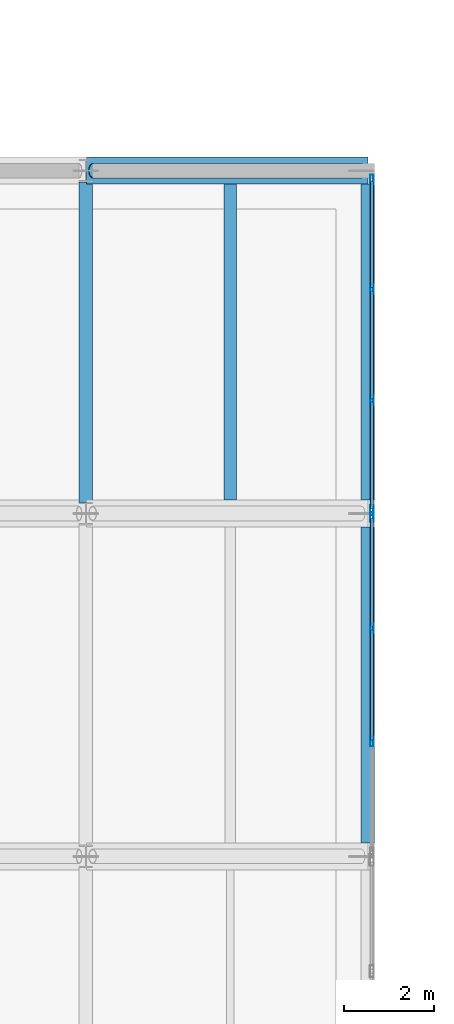
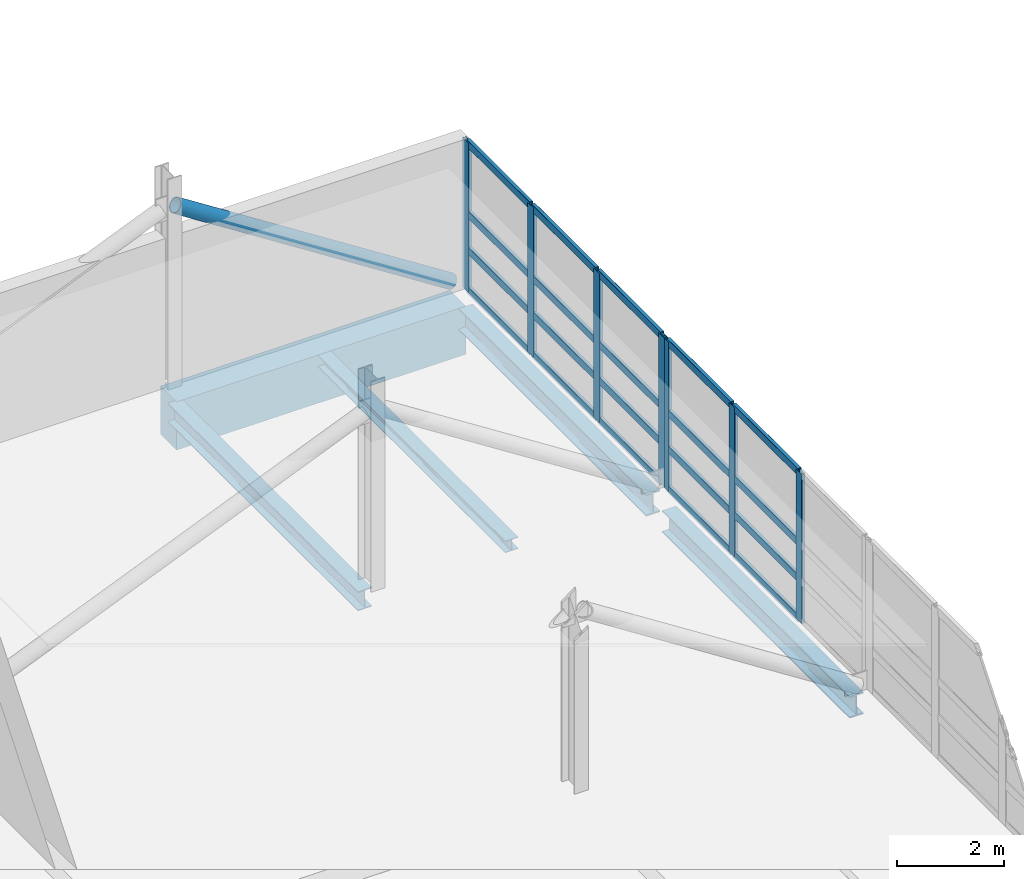
# One storey, part 24 of 141: 28 members, 5 beams, 2 elements without a shape of their own.
"""IFC4 building model written with IfcOpenShell, lengths in metres."""

import ifcopenshell
import ifcopenshell.guid

model = None  # the IFC model being written
_history = None  # IfcOwnerHistory: only IFC2X3 demands one
_inside = {}  # id of a spatial element -> (the spatial element, [elements in it])
_under = {}  # id of a project, library or spatial element -> (it, [spatial elements below it])
_declared = {}  # id of a project -> (the project, [libraries it declares])
_typed = {}  # id of a type object -> (the type object, [elements of that type])
_made_of = {}  # id of a material, layer set ... -> (it, [elements and type objects made of it])


def new_model(schema):
    """Start an empty IFC model of exactly this schema.

    Asked for "IFC4X3", IfcOpenShell would pick the latest addendum, in which some entities
    have other attributes; the version numbers below select the first issue.
    IFC2X3 requires an IfcOwnerHistory on every rooted entity: one is made here for all.
    """
    global model, _history
    if schema == "IFC4X3":
        model = ifcopenshell.file(schema_version=(4, 3, 0, 0))
    else:
        model = ifcopenshell.file(schema=schema)
    _inside.clear()
    _under.clear()
    _declared.clear()
    _typed.clear()
    _made_of.clear()
    _history = None
    if model.schema == "IFC2X3":
        org = make("IfcOrganization", Name="unknown")
        user = make(
            "IfcPersonAndOrganization",
            ThePerson=make("IfcPerson", FamilyName="unknown"),
            TheOrganization=org,
        )
        app = make(
            "IfcApplication",
            ApplicationDeveloper=org,
            Version="unknown",
            ApplicationFullName="unknown",
            ApplicationIdentifier="unknown",
        )
        _history = make(
            "IfcOwnerHistory",
            OwningUser=user,
            OwningApplication=app,
            ChangeAction="ADDED",
            CreationDate=0,
        )
    return model


def make(cls, **values):
    """One entity of the class cls with the attributes given. An attribute that is None is left unset."""
    return model.create_entity(
        cls, **{name: value for name, value in values.items() if value is not None}
    )


def rooted(cls, **values):
    """An entity with a GlobalId (a new one), such as an element, a storey or a relation."""
    return make(cls, GlobalId=ifcopenshell.guid.new(), OwnerHistory=_history, **values)


def si_unit(unit_type, name, prefix=None):
    """IfcSIUnit, for example si_unit("LENGTHUNIT", "METRE", prefix="MILLI")."""
    return make("IfcSIUnit", UnitType=unit_type, Prefix=prefix, Name=name)


def assignment(units):
    """IfcUnitAssignment: the units of a project."""
    return None if units is None else make("IfcUnitAssignment", Units=units)


def point(xyz):
    """IfcCartesianPoint."""
    return None if xyz is None else make("IfcCartesianPoint", Coordinates=xyz)


def direction(xyz):
    """IfcDirection."""
    return None if xyz is None else make("IfcDirection", DirectionRatios=xyz)


def frame(location, z_axis=None, x_axis=None):
    """IfcAxis2Placement3D, a coordinate frame: its origin and axes. An axis left out is left unset."""
    return make(
        "IfcAxis2Placement3D",
        Location=point(location),
        Axis=direction(z_axis),
        RefDirection=direction(x_axis),
    )


def frame_2d(location, x_axis=None):
    """IfcAxis2Placement2D, a coordinate frame in the plane: its origin and x axis."""
    return make(
        "IfcAxis2Placement2D", Location=point(location), RefDirection=direction(x_axis)
    )


def origin():
    """The frame at (0, 0, 0) with its axes left unset."""
    return frame((0.0, 0.0, 0.0))


def origin_2d():
    """The frame at (0, 0) in the plane with its x axis left unset."""
    return frame_2d((0.0, 0.0))


def place(relative_to, where):
    """IfcLocalPlacement: puts the frame where relative to a parent placement (None: the world)."""
    return make(
        "IfcLocalPlacement", PlacementRelTo=relative_to, RelativePlacement=where
    )


def context(
    kind, dimensions, precision=None, world=None, true_north=None, identifier=None
):
    """IfcGeometricRepresentationContext, for example the 3D "Model" context."""
    return make(
        "IfcGeometricRepresentationContext",
        ContextIdentifier=identifier,
        ContextType=kind,
        CoordinateSpaceDimension=dimensions,
        Precision=precision,
        WorldCoordinateSystem=world,
        TrueNorth=true_north,
    )


def subcontext(parent, identifier, kind, view, scale=None):
    """IfcGeometricRepresentationSubContext, for example "Body" below "Model"."""
    return make(
        "IfcGeometricRepresentationSubContext",
        ContextIdentifier=identifier,
        ContextType=kind,
        ParentContext=parent,
        TargetScale=scale,
        TargetView=view,
    )


def project(units=None, contexts=None):
    """IfcProject with its units and contexts."""
    return rooted(
        "IfcProject",
        Name="project",
        RepresentationContexts=contexts,
        UnitsInContext=assignment(units),
    )


def spatial(cls, under=None, at=None, **own):
    """A site, building, storey or space (cls), placed at a placement, below another one or the project."""
    s = rooted(cls, ObjectPlacement=at, **own)
    if under is not None:
        _under.setdefault(under.id(), (under, []))[1].append(s)
    return s


def profile(cls, at=None, kind="AREA", **sizes):
    """A parametric profile (cls). Its sizes go by their IFC names, for example OverallWidth=200.0."""
    return make(cls, ProfileType=kind, Position=at, **sizes)


def rectangle(**sizes):
    """IfcRectangleProfileDef."""
    return profile("IfcRectangleProfileDef", **sizes)


def hollow_rectangle(**sizes):
    """IfcRectangleHollowProfileDef."""
    return profile("IfcRectangleHollowProfileDef", **sizes)


def hollow_circle(**sizes):
    """IfcCircleHollowProfileDef."""
    return profile("IfcCircleHollowProfileDef", **sizes)


def i_section(**sizes):
    """IfcIShapeProfileDef."""
    return profile("IfcIShapeProfileDef", **sizes)


def extrude(swept, where, along, depth):
    """IfcExtrudedAreaSolid: the profile swept, set in the frame where, extruded along a direction by depth."""
    return make(
        "IfcExtrudedAreaSolid",
        SweptArea=swept,
        Position=where,
        ExtrudedDirection=direction(along),
        Depth=depth,
    )


def shape(context_of_items, identifier, shape_type, items):
    """IfcShapeRepresentation: the items that make up one representation, for example the "Body"."""
    return make(
        "IfcShapeRepresentation",
        ContextOfItems=context_of_items,
        RepresentationIdentifier=identifier,
        RepresentationType=shape_type,
        Items=items,
    )


def material(Name=None, Category=None):
    """IfcMaterial."""
    return make("IfcMaterial", Name=Name, Category=Category)


def material_profile(
    of_material, cross_section, Name=None, Category=None, Priority=None
):
    """IfcMaterialProfile: a cross section and its material."""
    return make(
        "IfcMaterialProfile",
        Name=Name,
        Material=of_material,
        Profile=cross_section,
        Priority=Priority,
        Category=Category,
    )


def profile_set(profiles, Name=None, composite=None):
    """IfcMaterialProfileSet."""
    return make(
        "IfcMaterialProfileSet",
        Name=Name,
        MaterialProfiles=profiles,
        CompositeProfile=composite,
    )


def made_of(thing, what):
    """Note that an element or type object is made of a material, layer set ...; save() writes the relation."""
    if what is not None:
        _made_of.setdefault(what.id(), (what, []))[1].append(thing)
    return thing


def type_object(cls, material=None, **own):
    """A type object (cls), such as IfcWallType, which elements share."""
    return made_of(rooted(cls, **own), material)


def element(
    cls,
    number,
    at=None,
    inside=None,
    cuts=None,
    type_object=None,
    material=None,
    context=None,
    identifier="Body",
    shape_type=None,
    held_by="IfcProductDefinitionShape",
    body=None,
    shapes=None,
    **own,
):
    """One element of the class cls, such as IfcWall. Its Tag is "e" and its number.

    at: its placement. inside: the storey or other place that contains it. cuts: it is an
    opening in that element (IfcRelVoidsElement). A single representation is given by context,
    identifier, shape_type and body (its items); several are given by shapes. held_by: the class
    of the entity that holds the representations. save() writes the other relations.
    """
    e = rooted(cls, Tag="e%d" % number, ObjectPlacement=at, **own)
    if body is not None:
        shapes = [shape(context, identifier, shape_type, body)]
    if shapes is not None:
        e.Representation = make(held_by, Representations=shapes)
    if inside is not None:
        _inside.setdefault(inside.id(), (inside, []))[1].append(e)
    if cuts is not None:
        rooted(
            "IfcRelVoidsElement", RelatingBuildingElement=cuts, RelatedOpeningElement=e
        )
    if type_object is not None:
        _typed.setdefault(type_object.id(), (type_object, []))[1].append(e)
    return made_of(e, material)


def aggregate(whole, parts):
    """IfcRelAggregates: a whole, such as a stair, and the parts it consists of."""
    return rooted("IfcRelAggregates", RelatingObject=whole, RelatedObjects=parts)


def save(model, path):
    """Write the relations noted so far, then the file.

    IfcRelAggregates (storeys below a building ...), IfcRelContainedInSpatialStructure (elements
    in a storey), IfcRelDefinesByType, IfcRelAssociatesMaterial and IfcRelDeclares: one each for
    every whole, place, type object, material and project.
    """
    for whole, parts in _under.values():
        aggregate(whole, parts)
    for where, things in _inside.values():
        rooted(
            "IfcRelContainedInSpatialStructure",
            RelatedElements=things,
            RelatingStructure=where,
        )
    for kind, things in _typed.values():
        rooted("IfcRelDefinesByType", RelatedObjects=things, RelatingType=kind)
    for what, things in _made_of.values():
        rooted("IfcRelAssociatesMaterial", RelatedObjects=things, RelatingMaterial=what)
    for by, libraries in _declared.values():
        rooted("IfcRelDeclares", RelatingContext=by, RelatedDefinitions=libraries)
    model.write(path)


model = new_model("IFC4")

# Units and contexts
model_context = context("Model", 3, precision=1e-05, world=origin(), true_north=direction((0.0, 1.0)))
body_context = subcontext(model_context, "Body", "Model", "MODEL_VIEW")
ifc_project = project(units=[si_unit("LENGTHUNIT", "METRE"), si_unit("AREAUNIT", "SQUARE_METRE"), si_unit("VOLUMEUNIT", "CUBIC_METRE"), si_unit("PLANEANGLEUNIT", "RADIAN"), si_unit("MASSUNIT", "GRAM", prefix="KILO")], contexts=[model_context])

# Site, building, storey
site_placement = place(None, origin())
site = spatial("IfcSite", under=ifc_project, at=site_placement, CompositionType="ELEMENT")
building_placement = place(site_placement, origin())
building = spatial("IfcBuilding", under=site, at=building_placement, Name="Khelvaren Railside Concert Hall", CompositionType="ELEMENT")
storey_placement = place(building_placement, frame((0.0, 0.0, 10.199951171875)))
storey = spatial("IfcBuildingStorey", under=building, at=storey_placement, Name="L02", CompositionType="ELEMENT", Elevation=10.199951171875)

# Beam
ifc_material_1 = material(Name="Steel S355", Category="steel")
ifc_material_profile_1 = material_profile(ifc_material_1, i_section(OverallWidth=0.300048828125, OverallDepth=0.43994140625, WebThickness=0.011474609375, FlangeThickness=0.02099609375, FilletRadius=0.027099609375, at=origin_2d()), Name="HEA 450")
ifc_profile_set_1 = profile_set([ifc_material_profile_1], Name="Steel S355")
beam_type_1 = type_object("IfcBeamType", Name="BM89", PredefinedType="BEAM", material=ifc_profile_set_1)
beam_1_placement = place(storey_placement, frame((49.60009765625, 38.25, -0.510009765625), z_axis=(0.0, 1.0, 0.0), x_axis=(-1.0, 0.0, 0.0)))
element("IfcBeam", 1, at=beam_1_placement, inside=storey, type_object=beam_type_1, Name="V1 L02 Beam Y7.6", PredefinedType="BEAM", context=body_context, shape_type="SweptSolid", body=[
    extrude(i_section(OverallWidth=0.300048828125, OverallDepth=0.43994140625, WebThickness=0.011474609375, FlangeThickness=0.02099609375, FilletRadius=0.027099609375, at=origin_2d()), origin(), (0.0, 0.0, 1.0), 7.10009765625),
])

# Member
ifc_material_profile_2 = material_profile(ifc_material_1, hollow_circle(Radius=0.161865234375, WallThickness=0.01611328125, at=origin_2d()), Name="CHS 323.9x16")
ifc_profile_set_2 = profile_set([ifc_material_profile_2], Name="Steel S355")
member_type_1 = type_object("IfcMemberType", Name="BR78", PredefinedType="BRACE", material=ifc_profile_set_2)
member_1_placement = place(storey_placement, frame((49.75, 45.60009765625, 3.969970703125), z_axis=(0.841509273877, 0.0, -0.540242669528), x_axis=(0.0, 1.0, 0.0)))
element("IfcMember", 2, at=member_1_placement, inside=storey, type_object=member_type_1, Name="V1 L02 Plaza Cantilever Truss Diagonal 7A", PredefinedType="BRACE", context=body_context, shape_type="SweptSolid", body=[
    extrude(hollow_circle(Radius=0.161865234375, WallThickness=0.01611328125, at=origin_2d()), origin(), (0.0, 0.0, 1.0), 7.070556640625),
])

# Curtain wall, members
ifc_material_2 = material(Name="Triple-glazed solar-control glass", Category="glass")
curtain_wall_type_1 = type_object("IfcCurtainWallType", Name="CW80", PredefinedType="USERDEFINED", material=ifc_material_2)
curtain_wall_1_placement = place(storey_placement, origin())
curtain_wall_1 = element("IfcCurtainWall", 3, at=curtain_wall_1_placement, inside=storey, type_object=curtain_wall_type_1, Name="Unitised Curtain Wall CW-V1-L02-E-30", ObjectType="UNITISED CURTAIN WALL", PredefinedType="USERDEFINED")
ifc_material_3 = material(Name="Anodised architectural aluminium 6063-T6", Category="aluminium")
ifc_material_profile_3 = material_profile(ifc_material_3, hollow_rectangle(XDim=0.074951171875, YDim=0.219970703125, WallThickness=0.0048828125, InnerFilletRadius=0.0029296875, OuterFilletRadius=0.0048828125, at=origin_2d()), Name="CWM 75x220x5")
ifc_profile_set_3 = profile_set([ifc_material_profile_3], Name="Anodised architectural aluminium 6063-T6")
member_type_2 = type_object("IfcMemberType", Name="CWM13", PredefinedType="MULLION", material=ifc_profile_set_3)
member_2_placement = place(storey_placement, frame((55.93994140625, 37.922607421875, 0.0), z_axis=(0.0, 0.0, 1.0), x_axis=(1.0, 0.0, 0.0)))
member_2 = element("IfcMember", 4, at=member_2_placement, type_object=member_type_2, Name="CW80 mullion 1", PredefinedType="MULLION", context=body_context, shape_type="SweptSolid", body=[
    extrude(hollow_rectangle(XDim=0.074951171875, YDim=0.219970703125, WallThickness=0.0048828125, InnerFilletRadius=0.0029296875, OuterFilletRadius=0.0048828125, at=origin_2d()), origin(), (0.0, 0.0, 1.0), 3.41015625),
])
member_3_placement = place(storey_placement, frame((55.93994140625, 35.453369140625, 0.0), z_axis=(0.0, 0.0, 1.0), x_axis=(1.0, 0.0, 0.0)))
member_3 = element("IfcMember", 5, at=member_3_placement, type_object=member_type_2, Name="CW80 mullion 2", PredefinedType="MULLION", context=body_context, shape_type="SweptSolid", body=[
    extrude(hollow_rectangle(XDim=0.074951171875, YDim=0.219970703125, WallThickness=0.0048828125, InnerFilletRadius=0.0029296875, OuterFilletRadius=0.0048828125, at=origin_2d()), origin(), (0.0, 0.0, 1.0), 3.41015625),
])
member_4_placement = place(storey_placement, frame((55.93994140625, 32.94677734375, 0.0), z_axis=(0.0, 0.0, 1.0), x_axis=(1.0, 0.0, 0.0)))
member_4 = element("IfcMember", 6, at=member_4_placement, type_object=member_type_2, Name="CW80 mullion 3", PredefinedType="MULLION", context=body_context, shape_type="SweptSolid", body=[
    extrude(hollow_rectangle(XDim=0.074951171875, YDim=0.219970703125, WallThickness=0.0048828125, InnerFilletRadius=0.0029296875, OuterFilletRadius=0.0048828125, at=origin_2d()), origin(), (0.0, 0.0, 1.0), 3.41015625),
])

curtain_wall_type_2 = type_object("IfcCurtainWallType", Name="CW41", PredefinedType="USERDEFINED", material=ifc_material_2)
curtain_wall_2_placement = place(storey_placement, origin())
curtain_wall_2 = element("IfcCurtainWall", 7, at=curtain_wall_2_placement, inside=storey, type_object=curtain_wall_type_2, Name="Unitised Curtain Wall CW-V1-L02-E-38", ObjectType="UNITISED CURTAIN WALL", PredefinedType="USERDEFINED")
member_5_placement = place(storey_placement, frame((55.93994140625, 45.402587890625, 0.0), z_axis=(0.0, 0.0, 1.0), x_axis=(1.0, 0.0, 0.0)))
member_5 = element("IfcMember", 8, at=member_5_placement, type_object=member_type_2, Name="CW41 mullion 1", PredefinedType="MULLION", context=body_context, shape_type="SweptSolid", body=[
    extrude(hollow_rectangle(XDim=0.074951171875, YDim=0.219970703125, WallThickness=0.0048828125, InnerFilletRadius=0.0029296875, OuterFilletRadius=0.0048828125, at=origin_2d()), origin(), (0.0, 0.0, 1.0), 3.41015625),
])
member_6_placement = place(storey_placement, frame((55.93994140625, 42.973388671875, 0.0), z_axis=(0.0, 0.0, 1.0), x_axis=(1.0, 0.0, 0.0)))
member_6 = element("IfcMember", 9, at=member_6_placement, type_object=member_type_2, Name="CW41 mullion 2", PredefinedType="MULLION", context=body_context, shape_type="SweptSolid", body=[
    extrude(hollow_rectangle(XDim=0.074951171875, YDim=0.219970703125, WallThickness=0.0048828125, InnerFilletRadius=0.0029296875, OuterFilletRadius=0.0048828125, at=origin_2d()), origin(), (0.0, 0.0, 1.0), 3.41015625),
])
member_7_placement = place(storey_placement, frame((55.93994140625, 40.506591796875, 0.0), z_axis=(0.0, 0.0, 1.0), x_axis=(1.0, 0.0, 0.0)))
member_7 = element("IfcMember", 10, at=member_7_placement, type_object=member_type_2, Name="CW41 mullion 3", PredefinedType="MULLION", context=body_context, shape_type="SweptSolid", body=[
    extrude(hollow_rectangle(XDim=0.074951171875, YDim=0.219970703125, WallThickness=0.0048828125, InnerFilletRadius=0.0029296875, OuterFilletRadius=0.0048828125, at=origin_2d()), origin(), (0.0, 0.0, 1.0), 3.41015625),
])
member_8_placement = place(storey_placement, frame((55.93994140625, 38.077392578125, 0.0), z_axis=(0.0, 0.0, 1.0), x_axis=(1.0, 0.0, 0.0)))
member_8 = element("IfcMember", 11, at=member_8_placement, type_object=member_type_2, Name="CW41 mullion 4", PredefinedType="MULLION", context=body_context, shape_type="SweptSolid", body=[
    extrude(hollow_rectangle(XDim=0.074951171875, YDim=0.219970703125, WallThickness=0.0048828125, InnerFilletRadius=0.0029296875, OuterFilletRadius=0.0048828125, at=origin_2d()), origin(), (0.0, 0.0, 1.0), 3.41015625),
])

# Member
ifc_material_profile_4 = material_profile(ifc_material_3, hollow_rectangle(XDim=0.074951171875, YDim=0.1650390625, WallThickness=0.00390625, InnerFilletRadius=0.001953125, OuterFilletRadius=0.00390625, at=origin_2d()), Name="CWT 75x165x4")
ifc_profile_set_4 = profile_set([ifc_material_profile_4], Name="Anodised architectural aluminium 6063-T6")
member_type_3 = type_object("IfcMemberType", Name="CWT46", PredefinedType="USERDEFINED", material=ifc_profile_set_4)
member_9_placement = place(storey_placement, frame((55.93994140625, 37.885009765625, 0.03759765625), z_axis=(0.0, -1.0, 0.0), x_axis=(1.0, 0.0, 0.0)))
member_9 = element("IfcMember", 12, at=member_9_placement, type_object=member_type_3, Name="CW80 transom 1.1", ObjectType="TRANSOM", PredefinedType="USERDEFINED", context=body_context, shape_type="SweptSolid", body=[
    extrude(hollow_rectangle(XDim=0.074951171875, YDim=0.1650390625, WallThickness=0.00390625, InnerFilletRadius=0.001953125, OuterFilletRadius=0.00390625, at=origin_2d()), origin(), (0.0, 0.0, 1.0), 2.394287109375),
])

member_10_placement = place(storey_placement, frame((55.93994140625, 37.885009765625, 0.949951171875), z_axis=(0.0, -1.0, 0.0), x_axis=(1.0, 0.0, 0.0)))
member_10 = element("IfcMember", 13, at=member_10_placement, type_object=member_type_3, Name="CW80 transom 1.2", ObjectType="TRANSOM", PredefinedType="USERDEFINED", context=body_context, shape_type="SweptSolid", body=[
    extrude(hollow_rectangle(XDim=0.074951171875, YDim=0.1650390625, WallThickness=0.00390625, InnerFilletRadius=0.001953125, OuterFilletRadius=0.00390625, at=origin_2d()), origin(), (0.0, 0.0, 1.0), 2.394287109375),
])

member_11_placement = place(storey_placement, frame((55.93994140625, 37.885009765625, 1.773193359375), z_axis=(0.0, -1.0, 0.0), x_axis=(1.0, 0.0, 0.0)))
member_11 = element("IfcMember", 14, at=member_11_placement, type_object=member_type_3, Name="CW80 transom 1.3", ObjectType="TRANSOM", PredefinedType="USERDEFINED", context=body_context, shape_type="SweptSolid", body=[
    extrude(hollow_rectangle(XDim=0.074951171875, YDim=0.1650390625, WallThickness=0.00390625, InnerFilletRadius=0.001953125, OuterFilletRadius=0.00390625, at=origin_2d()), origin(), (0.0, 0.0, 1.0), 2.394287109375),
])

member_12_placement = place(storey_placement, frame((55.93994140625, 37.885009765625, 3.37255859375), z_axis=(0.0, -1.0, 0.0), x_axis=(1.0, 0.0, 0.0)))
member_12 = element("IfcMember", 15, at=member_12_placement, type_object=member_type_3, Name="CW80 transom 1.4", ObjectType="TRANSOM", PredefinedType="USERDEFINED", context=body_context, shape_type="SweptSolid", body=[
    extrude(hollow_rectangle(XDim=0.074951171875, YDim=0.1650390625, WallThickness=0.00390625, InnerFilletRadius=0.001953125, OuterFilletRadius=0.00390625, at=origin_2d()), origin(), (0.0, 0.0, 1.0), 2.394287109375),
])

member_13_placement = place(storey_placement, frame((55.93994140625, 35.415771484375, 0.03759765625), z_axis=(0.0, -1.0, 0.0), x_axis=(1.0, 0.0, 0.0)))
member_13 = element("IfcMember", 16, at=member_13_placement, type_object=member_type_3, Name="CW80 transom 2.1", ObjectType="TRANSOM", PredefinedType="USERDEFINED", context=body_context, shape_type="SweptSolid", body=[
    extrude(hollow_rectangle(XDim=0.074951171875, YDim=0.1650390625, WallThickness=0.00390625, InnerFilletRadius=0.001953125, OuterFilletRadius=0.00390625, at=origin_2d()), origin(), (0.0, 0.0, 1.0), 2.431640625),
])

member_14_placement = place(storey_placement, frame((55.93994140625, 35.415771484375, 0.949951171875), z_axis=(0.0, -1.0, 0.0), x_axis=(1.0, 0.0, 0.0)))
member_14 = element("IfcMember", 17, at=member_14_placement, type_object=member_type_3, Name="CW80 transom 2.2", ObjectType="TRANSOM", PredefinedType="USERDEFINED", context=body_context, shape_type="SweptSolid", body=[
    extrude(hollow_rectangle(XDim=0.074951171875, YDim=0.1650390625, WallThickness=0.00390625, InnerFilletRadius=0.001953125, OuterFilletRadius=0.00390625, at=origin_2d()), origin(), (0.0, 0.0, 1.0), 2.431640625),
])

member_15_placement = place(storey_placement, frame((55.93994140625, 35.415771484375, 1.773193359375), z_axis=(0.0, -1.0, 0.0), x_axis=(1.0, 0.0, 0.0)))
member_15 = element("IfcMember", 18, at=member_15_placement, type_object=member_type_3, Name="CW80 transom 2.3", ObjectType="TRANSOM", PredefinedType="USERDEFINED", context=body_context, shape_type="SweptSolid", body=[
    extrude(hollow_rectangle(XDim=0.074951171875, YDim=0.1650390625, WallThickness=0.00390625, InnerFilletRadius=0.001953125, OuterFilletRadius=0.00390625, at=origin_2d()), origin(), (0.0, 0.0, 1.0), 2.431640625),
])

member_16_placement = place(storey_placement, frame((55.93994140625, 35.415771484375, 3.37255859375), z_axis=(0.0, -1.0, 0.0), x_axis=(1.0, 0.0, 0.0)))
member_16 = element("IfcMember", 19, at=member_16_placement, type_object=member_type_3, Name="CW80 transom 2.4", ObjectType="TRANSOM", PredefinedType="USERDEFINED", context=body_context, shape_type="SweptSolid", body=[
    extrude(hollow_rectangle(XDim=0.074951171875, YDim=0.1650390625, WallThickness=0.00390625, InnerFilletRadius=0.001953125, OuterFilletRadius=0.00390625, at=origin_2d()), origin(), (0.0, 0.0, 1.0), 2.431640625),
])

aggregate(curtain_wall_1, [member_2, member_3, member_4, member_9, member_10, member_11, member_12, member_13, member_14, member_15, member_16])

member_17_placement = place(storey_placement, frame((55.93994140625, 45.364990234375, 0.03759765625), z_axis=(0.0, -1.0, 0.0), x_axis=(1.0, 0.0, 0.0)))
member_17 = element("IfcMember", 20, at=member_17_placement, type_object=member_type_3, Name="CW41 transom 1.1", ObjectType="TRANSOM", PredefinedType="USERDEFINED", context=body_context, shape_type="SweptSolid", body=[
    extrude(hollow_rectangle(XDim=0.074951171875, YDim=0.1650390625, WallThickness=0.00390625, InnerFilletRadius=0.001953125, OuterFilletRadius=0.00390625, at=origin_2d()), origin(), (0.0, 0.0, 1.0), 2.354248046875),
])

member_18_placement = place(storey_placement, frame((55.93994140625, 45.364990234375, 0.949951171875), z_axis=(0.0, -1.0, 0.0), x_axis=(1.0, 0.0, 0.0)))
member_18 = element("IfcMember", 21, at=member_18_placement, type_object=member_type_3, Name="CW41 transom 1.2", ObjectType="TRANSOM", PredefinedType="USERDEFINED", context=body_context, shape_type="SweptSolid", body=[
    extrude(hollow_rectangle(XDim=0.074951171875, YDim=0.1650390625, WallThickness=0.00390625, InnerFilletRadius=0.001953125, OuterFilletRadius=0.00390625, at=origin_2d()), origin(), (0.0, 0.0, 1.0), 2.354248046875),
])

member_19_placement = place(storey_placement, frame((55.93994140625, 45.364990234375, 1.773193359375), z_axis=(0.0, -1.0, 0.0), x_axis=(1.0, 0.0, 0.0)))
member_19 = element("IfcMember", 22, at=member_19_placement, type_object=member_type_3, Name="CW41 transom 1.3", ObjectType="TRANSOM", PredefinedType="USERDEFINED", context=body_context, shape_type="SweptSolid", body=[
    extrude(hollow_rectangle(XDim=0.074951171875, YDim=0.1650390625, WallThickness=0.00390625, InnerFilletRadius=0.001953125, OuterFilletRadius=0.00390625, at=origin_2d()), origin(), (0.0, 0.0, 1.0), 2.354248046875),
])

member_20_placement = place(storey_placement, frame((55.93994140625, 45.364990234375, 3.37255859375), z_axis=(0.0, -1.0, 0.0), x_axis=(1.0, 0.0, 0.0)))
member_20 = element("IfcMember", 23, at=member_20_placement, type_object=member_type_3, Name="CW41 transom 1.4", ObjectType="TRANSOM", PredefinedType="USERDEFINED", context=body_context, shape_type="SweptSolid", body=[
    extrude(hollow_rectangle(XDim=0.074951171875, YDim=0.1650390625, WallThickness=0.00390625, InnerFilletRadius=0.001953125, OuterFilletRadius=0.00390625, at=origin_2d()), origin(), (0.0, 0.0, 1.0), 2.354248046875),
])

member_21_placement = place(storey_placement, frame((55.93994140625, 42.935791015625, 0.03759765625), z_axis=(0.0, -1.0, 0.0), x_axis=(1.0, 0.0, 0.0)))
member_21 = element("IfcMember", 24, at=member_21_placement, type_object=member_type_3, Name="CW41 transom 2.1", ObjectType="TRANSOM", PredefinedType="USERDEFINED", context=body_context, shape_type="SweptSolid", body=[
    extrude(hollow_rectangle(XDim=0.074951171875, YDim=0.1650390625, WallThickness=0.00390625, InnerFilletRadius=0.001953125, OuterFilletRadius=0.00390625, at=origin_2d()), origin(), (0.0, 0.0, 1.0), 2.3916015625),
])

member_22_placement = place(storey_placement, frame((55.93994140625, 42.935791015625, 0.949951171875), z_axis=(0.0, -1.0, 0.0), x_axis=(1.0, 0.0, 0.0)))
member_22 = element("IfcMember", 25, at=member_22_placement, type_object=member_type_3, Name="CW41 transom 2.2", ObjectType="TRANSOM", PredefinedType="USERDEFINED", context=body_context, shape_type="SweptSolid", body=[
    extrude(hollow_rectangle(XDim=0.074951171875, YDim=0.1650390625, WallThickness=0.00390625, InnerFilletRadius=0.001953125, OuterFilletRadius=0.00390625, at=origin_2d()), origin(), (0.0, 0.0, 1.0), 2.3916015625),
])

member_23_placement = place(storey_placement, frame((55.93994140625, 42.935791015625, 1.773193359375), z_axis=(0.0, -1.0, 0.0), x_axis=(1.0, 0.0, 0.0)))
member_23 = element("IfcMember", 26, at=member_23_placement, type_object=member_type_3, Name="CW41 transom 2.3", ObjectType="TRANSOM", PredefinedType="USERDEFINED", context=body_context, shape_type="SweptSolid", body=[
    extrude(hollow_rectangle(XDim=0.074951171875, YDim=0.1650390625, WallThickness=0.00390625, InnerFilletRadius=0.001953125, OuterFilletRadius=0.00390625, at=origin_2d()), origin(), (0.0, 0.0, 1.0), 2.3916015625),
])

member_24_placement = place(storey_placement, frame((55.93994140625, 42.935791015625, 3.37255859375), z_axis=(0.0, -1.0, 0.0), x_axis=(1.0, 0.0, 0.0)))
member_24 = element("IfcMember", 27, at=member_24_placement, type_object=member_type_3, Name="CW41 transom 2.4", ObjectType="TRANSOM", PredefinedType="USERDEFINED", context=body_context, shape_type="SweptSolid", body=[
    extrude(hollow_rectangle(XDim=0.074951171875, YDim=0.1650390625, WallThickness=0.00390625, InnerFilletRadius=0.001953125, OuterFilletRadius=0.00390625, at=origin_2d()), origin(), (0.0, 0.0, 1.0), 2.3916015625),
])

member_25_placement = place(storey_placement, frame((55.93994140625, 40.46923828125, 0.03759765625), z_axis=(0.0, -1.0, 0.0), x_axis=(1.0, 0.0, 0.0)))
member_25 = element("IfcMember", 28, at=member_25_placement, type_object=member_type_3, Name="CW41 transom 3.1", ObjectType="TRANSOM", PredefinedType="USERDEFINED", context=body_context, shape_type="SweptSolid", body=[
    extrude(hollow_rectangle(XDim=0.074951171875, YDim=0.1650390625, WallThickness=0.00390625, InnerFilletRadius=0.001953125, OuterFilletRadius=0.00390625, at=origin_2d()), origin(), (0.0, 0.0, 1.0), 2.354248046875),
])

member_26_placement = place(storey_placement, frame((55.93994140625, 40.46923828125, 0.949951171875), z_axis=(0.0, -1.0, 0.0), x_axis=(1.0, 0.0, 0.0)))
member_26 = element("IfcMember", 29, at=member_26_placement, type_object=member_type_3, Name="CW41 transom 3.2", ObjectType="TRANSOM", PredefinedType="USERDEFINED", context=body_context, shape_type="SweptSolid", body=[
    extrude(hollow_rectangle(XDim=0.074951171875, YDim=0.1650390625, WallThickness=0.00390625, InnerFilletRadius=0.001953125, OuterFilletRadius=0.00390625, at=origin_2d()), origin(), (0.0, 0.0, 1.0), 2.354248046875),
])

member_27_placement = place(storey_placement, frame((55.93994140625, 40.46923828125, 1.773193359375), z_axis=(0.0, -1.0, 0.0), x_axis=(1.0, 0.0, 0.0)))
member_27 = element("IfcMember", 30, at=member_27_placement, type_object=member_type_3, Name="CW41 transom 3.3", ObjectType="TRANSOM", PredefinedType="USERDEFINED", context=body_context, shape_type="SweptSolid", body=[
    extrude(hollow_rectangle(XDim=0.074951171875, YDim=0.1650390625, WallThickness=0.00390625, InnerFilletRadius=0.001953125, OuterFilletRadius=0.00390625, at=origin_2d()), origin(), (0.0, 0.0, 1.0), 2.354248046875),
])

member_28_placement = place(storey_placement, frame((55.93994140625, 40.46923828125, 3.37255859375), z_axis=(0.0, -1.0, 0.0), x_axis=(1.0, 0.0, 0.0)))
member_28 = element("IfcMember", 31, at=member_28_placement, type_object=member_type_3, Name="CW41 transom 3.4", ObjectType="TRANSOM", PredefinedType="USERDEFINED", context=body_context, shape_type="SweptSolid", body=[
    extrude(hollow_rectangle(XDim=0.074951171875, YDim=0.1650390625, WallThickness=0.00390625, InnerFilletRadius=0.001953125, OuterFilletRadius=0.00390625, at=origin_2d()), origin(), (0.0, 0.0, 1.0), 2.354248046875),
])

aggregate(curtain_wall_2, [member_5, member_6, member_7, member_8, member_17, member_18, member_19, member_20, member_21, member_22, member_23, member_24, member_25, member_26, member_27, member_28])

# Beams
ifc_material_4 = material(Name="Concrete C40/50", Category="concrete")
ifc_material_profile_5 = material_profile(ifc_material_4, rectangle(XDim=0.60009765625, YDim=1.10009765625, at=origin_2d()), Name="RCB 600x1100")
ifc_profile_set_5 = profile_set([ifc_material_profile_5], Name="Concrete C40/50")
beam_type_2 = type_object("IfcBeamType", Name="GR15", PredefinedType="T_BEAM", material=ifc_profile_set_5)
beam_2_placement = place(storey_placement, frame((49.610107421875, 45.60009765625, -0.83984375), z_axis=(1.0, 0.0, 0.0), x_axis=(0.0, 1.0, 0.0)))
element("IfcBeam", 32, at=beam_2_placement, inside=storey, type_object=beam_type_2, Name="V1 L02 Arrival Cantilever Girder 7", PredefinedType="T_BEAM", context=body_context, shape_type="SweptSolid", body=[
    extrude(rectangle(XDim=0.60009765625, YDim=1.10009765625, at=origin_2d()), origin(), (0.0, 0.0, 1.0), 6.239990234375),
])
ifc_material_profile_6 = material_profile(ifc_material_1, i_section(OverallWidth=0.280029296875, OverallDepth=0.27001953125, WebThickness=0.008056640625, FlangeThickness=0.012939453125, FilletRadius=0.02392578125, at=origin_2d()), Name="HEA 280")
ifc_profile_set_6 = profile_set([ifc_material_profile_6], Name="Steel S355")
beam_type_3 = type_object("IfcBeamType", Name="JS46", PredefinedType="JOIST", material=ifc_profile_set_6)
beam_3_placement = place(storey_placement, frame((52.800048828125, 38.300048828125, -0.425048828125), z_axis=(0.0, 1.0, 0.0), x_axis=(-1.0, 0.0, 0.0)))
element("IfcBeam", 33, at=beam_3_placement, inside=storey, type_object=beam_type_3, Name="V1 L02 Secondary Joist 7.6", PredefinedType="JOIST", context=body_context, shape_type="SweptSolid", body=[
    extrude(i_section(OverallWidth=0.280029296875, OverallDepth=0.27001953125, WebThickness=0.008056640625, FlangeThickness=0.012939453125, FilletRadius=0.02392578125, at=origin_2d()), origin(), (0.0, 0.0, 1.0), 7.0),
])
ifc_material_profile_7 = material_profile(ifc_material_1, i_section(OverallWidth=0.300048828125, OverallDepth=0.5, WebThickness=0.014404296875, FlangeThickness=0.028076171875, FilletRadius=0.027099609375, at=origin_2d()), Name="HEB 500")
ifc_profile_set_7 = profile_set([ifc_material_profile_7], Name="Steel S355")
beam_type_4 = type_object("IfcBeamType", Name="SP12", PredefinedType="SPANDREL", material=ifc_profile_set_7)
for number, where, z_axis, x_axis, name in (
    (34, (55.85009765625, 30.699951171875, -0.5400390625), (0.0, 1.0, 0.0), (-1.0, 0.0, 0.0), "V1 L02 Cantilever Tip Spandrel Y5"),
    (35, (55.85009765625, 38.300048828125, -0.5400390625), (0.0, 1.0, 0.0), (-1.0, 0.0, 0.0), "V1 L02 Cantilever Tip Spandrel Y6"),
):
    element("IfcBeam", number, at=place(storey_placement, frame(where, z_axis=z_axis, x_axis=x_axis)), inside=storey, type_object=beam_type_4, Name=name, PredefinedType="SPANDREL", context=body_context, shape_type="SweptSolid", body=[
        extrude(i_section(OverallWidth=0.300048828125, OverallDepth=0.5, WebThickness=0.014404296875, FlangeThickness=0.028076171875, FilletRadius=0.027099609375, at=origin_2d()), origin(), (0.0, 0.0, 1.0), 7.0),
    ])

save(model, "model.ifc")
